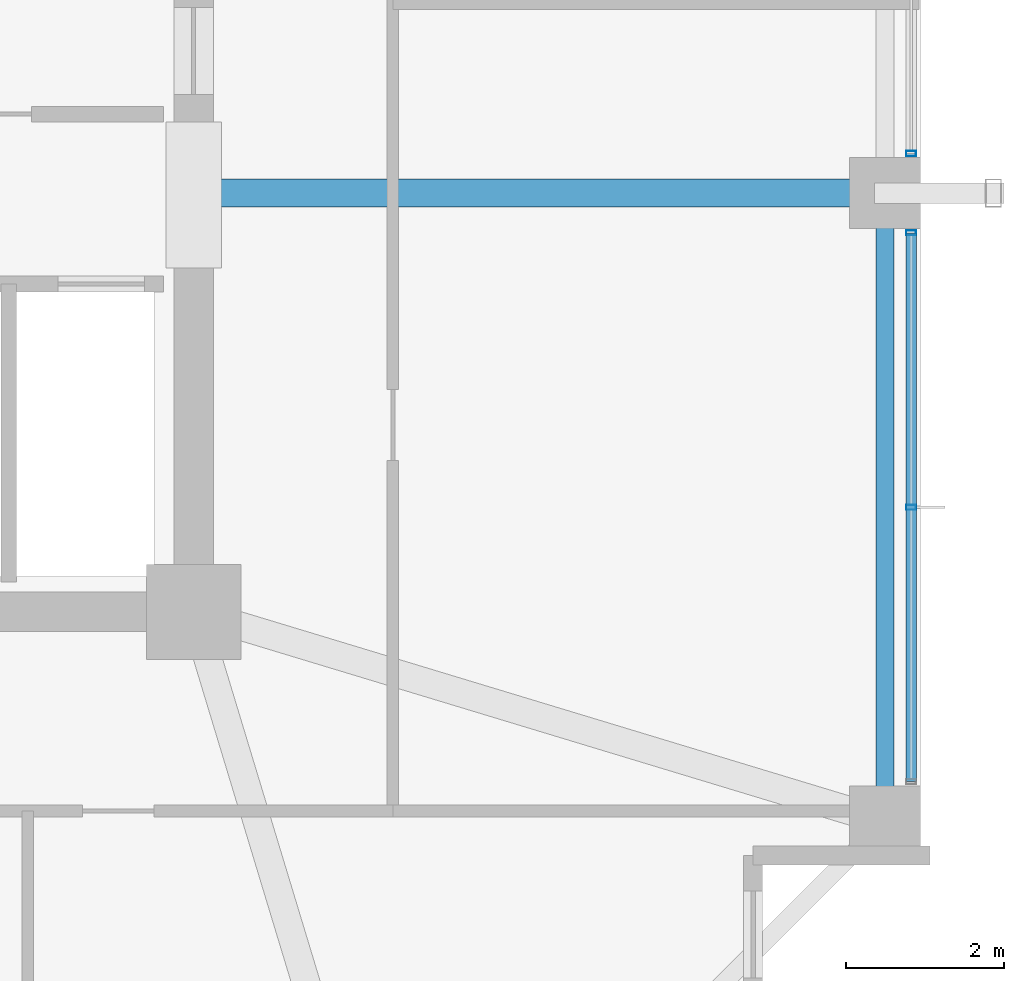
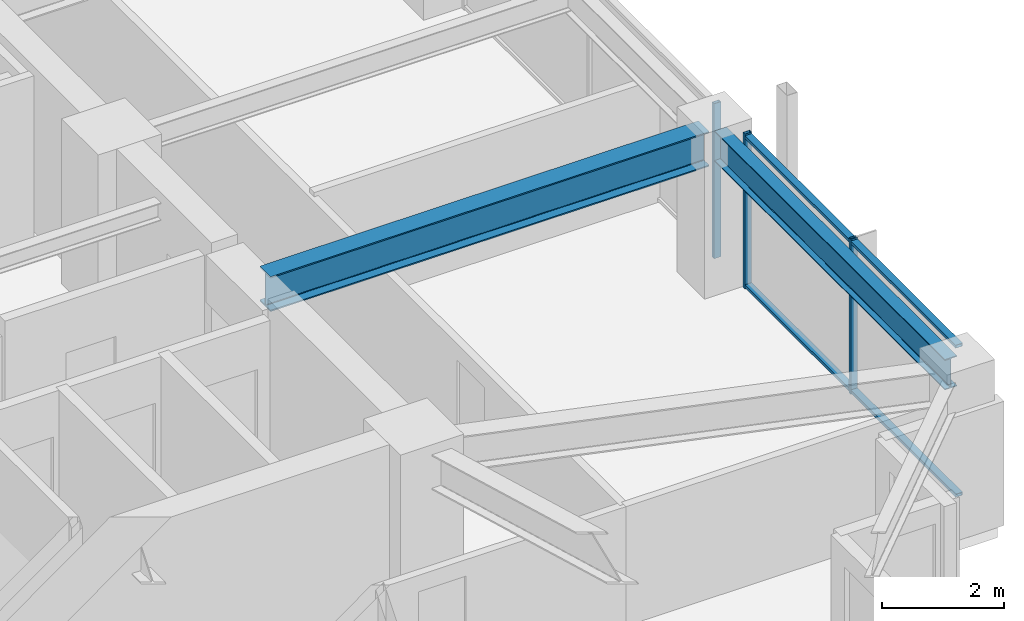
# One storey, part 12 of 32: 5 members, 2 beams, 2 elements without a shape of their own.
"""IFC4 building model written with IfcOpenShell, lengths in metres."""

from ifc_helpers import new_model, si_unit, direction, frame, origin, origin_2d, place, context, subcontext, project, spatial, hollow_rectangle, i_section, extrude, material, material_profile, profile_set, type_object, element, aggregate, save


model = new_model("IFC4")

# Units and contexts
model_context = context("Model", 3, precision=1e-05, world=origin(), true_north=direction((0.0, 1.0)))
body_context = subcontext(model_context, "Body", "Model", "MODEL_VIEW")
ifc_project = project(units=[si_unit("LENGTHUNIT", "METRE"), si_unit("AREAUNIT", "SQUARE_METRE"), si_unit("VOLUMEUNIT", "CUBIC_METRE"), si_unit("PLANEANGLEUNIT", "RADIAN"), si_unit("MASSUNIT", "GRAM", prefix="KILO")], contexts=[model_context])

# Site, building, storey
site_placement = place(None, origin())
site = spatial("IfcSite", under=ifc_project, at=site_placement, CompositionType="ELEMENT")
building_placement = place(site_placement, origin())
building = spatial("IfcBuilding", under=site, at=building_placement, Name="Kolvaren Belvedere", CompositionType="ELEMENT")
storey_placement = place(building_placement, frame((0.0, 0.0, 160.199951171875)))
storey = spatial("IfcBuildingStorey", under=building, at=storey_placement, Name="L46", CompositionType="ELEMENT", Elevation=160.199951171875)

# Beams
ifc_material_1 = material(Name="Structural steel ASTM A992 Grade 50", Category="steel")
ifc_material_profile_1 = material_profile(ifc_material_1, i_section(OverallWidth=0.35498046875, OverallDepth=0.696044921875, WebThickness=0.015380859375, FlangeThickness=0.02490234375, FilletRadius=0.02197265625, at=origin_2d()), Name="W27X146")
ifc_profile_set_1 = profile_set([ifc_material_profile_1], Name="Structural steel ASTM A992 Grade 50")
beam_type_1 = type_object("IfcBeamType", Name="BM-GIRD-W27X146", PredefinedType="BEAM", material=ifc_profile_set_1)
beam_1_placement = place(storey_placement, frame((10.14990234375, -4.60009765625, 2.751953125), z_axis=(1.0, 0.0, 0.0), x_axis=(0.0, 1.0, 0.0)))
element("IfcBeam", 1, at=beam_1_placement, inside=storey, type_object=beam_type_1, Name="L46 East Radial Girder M", PredefinedType="BEAM", context=body_context, shape_type="SweptSolid", body=[
    extrude(i_section(OverallWidth=0.35498046875, OverallDepth=0.696044921875, WebThickness=0.015380859375, FlangeThickness=0.02490234375, FilletRadius=0.02197265625, at=origin_2d()), origin(), (0.0, 0.0, 1.0), 8.297607421875),
])
ifc_material_2 = material(Name="Structural steel ASTM A992 Grade 50", Category="steel")
ifc_material_profile_2 = material_profile(ifc_material_2, i_section(OverallWidth=0.22900390625, OverallDepth=0.612060546875, WebThickness=0.011962890625, FlangeThickness=0.01953125, FilletRadius=0.01806640625, at=origin_2d()), Name="W24X84")
ifc_profile_set_2 = profile_set([ifc_material_profile_2], Name="Structural steel ASTM A992 Grade 50")
beam_type_2 = type_object("IfcBeamType", Name="BM-SPAN-W24X84", PredefinedType="SPANDREL", material=ifc_profile_set_2)
beam_2_placement = place(storey_placement, frame((18.64990234375, -12.347412109375, 2.7939453125), z_axis=(0.0, 1.0, 0.0), x_axis=(-1.0, 0.0, 0.0)))
element("IfcBeam", 2, at=beam_2_placement, inside=storey, type_object=beam_type_2, Name="L46 Perimeter Spandrel E1-E2", PredefinedType="SPANDREL", context=body_context, shape_type="SweptSolid", body=[
    extrude(i_section(OverallWidth=0.22900390625, OverallDepth=0.612060546875, WebThickness=0.011962890625, FlangeThickness=0.01953125, FilletRadius=0.01806640625, at=origin_2d()), origin(), (0.0, 0.0, 1.0), 7.544921875),
])

# Curtain wall, member
ifc_material_3 = material(Name="Anodised pale-metal aluminium AA 6063-T6", Category="aluminium")
curtain_wall_type = type_object("IfcCurtainWallType", Name="CW-Z3-WAIST", PredefinedType="NOTDEFINED", material=ifc_material_3)
curtain_wall_1_placement = place(storey_placement, origin())
curtain_wall_1 = element("IfcCurtainWall", 3, at=curtain_wall_1_placement, inside=storey, type_object=curtain_wall_type, Name="L46 Unitised Curtain Wall FCW-L46-E-B2", PredefinedType="NOTDEFINED")
ifc_material_4 = material(Name="Anodised pale-metal aluminium AA 6063-T6", Category="aluminium")
ifc_material_profile_3 = material_profile(ifc_material_4, hollow_rectangle(XDim=0.06494140625, YDim=0.1298828125, WallThickness=0.00390625, at=origin_2d()), Name="ALU-MUL-130X65")
ifc_profile_set_3 = profile_set([ifc_material_profile_3], Name="Anodised pale-metal aluminium AA 6063-T6")
member_type_1 = type_object("IfcMemberType", Name="CW-MUL-130", PredefinedType="MULLION", material=ifc_profile_set_3)
member_1_placement = place(storey_placement, frame((18.97998046875, -4.097412109375, 0.0), z_axis=(0.0, 0.0, 1.0), x_axis=(0.0, 1.0, 0.0)))
member_1 = element("IfcMember", 4, at=member_1_placement, type_object=member_type_1, Name="FCW-L46-E-B2 Unitised Mullion 3", PredefinedType="MULLION", context=body_context, shape_type="SweptSolid", body=[
    extrude(hollow_rectangle(XDim=0.06494140625, YDim=0.1298828125, WallThickness=0.00390625, at=origin_2d()), origin(), (0.0, 0.0, 1.0), 3.10009765625),
])
aggregate(curtain_wall_1, [member_1])

# Curtain wall, members
curtain_wall_2_placement = place(storey_placement, origin())
curtain_wall_2 = element("IfcCurtainWall", 5, at=curtain_wall_2_placement, inside=storey, type_object=curtain_wall_type, Name="L46 Unitised Curtain Wall FCW-L46-E-B3", PredefinedType="NOTDEFINED")
member_2_placement = place(storey_placement, frame((18.97998046875, -5.1025390625, 0.0), z_axis=(0.0, 0.0, 1.0), x_axis=(0.0, 1.0, 0.0)))
member_2 = element("IfcMember", 6, at=member_2_placement, type_object=member_type_1, Name="FCW-L46-E-B3 Unitised Mullion 1", PredefinedType="MULLION", context=body_context, shape_type="SweptSolid", body=[
    extrude(hollow_rectangle(XDim=0.06494140625, YDim=0.1298828125, WallThickness=0.00390625, at=origin_2d()), origin(), (0.0, 0.0, 1.0), 3.10009765625),
])
member_3_placement = place(storey_placement, frame((18.97998046875, -8.574951171875, 0.0), z_axis=(0.0, 0.0, 1.0), x_axis=(0.0, 1.0, 0.0)))
member_3 = element("IfcMember", 7, at=member_3_placement, type_object=member_type_1, Name="FCW-L46-E-B3 Unitised Mullion 2", PredefinedType="MULLION", context=body_context, shape_type="SweptSolid", body=[
    extrude(hollow_rectangle(XDim=0.06494140625, YDim=0.1298828125, WallThickness=0.00390625, at=origin_2d()), origin(), (0.0, 0.0, 1.0), 3.10009765625),
])
ifc_material_5 = material(Name="Anodised pale-metal aluminium AA 6063-T6", Category="aluminium")
ifc_material_profile_4 = material_profile(ifc_material_5, hollow_rectangle(XDim=0.06005859375, YDim=0.1298828125, WallThickness=0.00390625, at=origin_2d()), Name="ALU-TRN-130X60")
ifc_profile_set_4 = profile_set([ifc_material_profile_4], Name="Anodised pale-metal aluminium AA 6063-T6")
member_type_2 = type_object("IfcMemberType", Name="CW-TRN-130", PredefinedType="USERDEFINED", material=ifc_profile_set_4)
member_4_placement = place(storey_placement, frame((18.97998046875, -5.1025390625, 0.06005859375), z_axis=(0.0, -1.0, 0.0), x_axis=(0.0, 0.0, 1.0)))
member_4 = element("IfcMember", 8, at=member_4_placement, type_object=member_type_2, Name="FCW-L46-E-B3 Sill Transom", ObjectType="TRANSOM", PredefinedType="USERDEFINED", context=body_context, shape_type="SweptSolid", body=[
    extrude(hollow_rectangle(XDim=0.06005859375, YDim=0.1298828125, WallThickness=0.00390625, at=origin_2d()), origin(), (0.0, 0.0, 1.0), 6.945068359375),
])
member_5_placement = place(storey_placement, frame((18.97998046875, -5.1025390625, 3.0400390625), z_axis=(0.0, -1.0, 0.0), x_axis=(0.0, 0.0, 1.0)))
member_5 = element("IfcMember", 9, at=member_5_placement, type_object=member_type_2, Name="FCW-L46-E-B3 Head Transom", ObjectType="TRANSOM", PredefinedType="USERDEFINED", context=body_context, shape_type="SweptSolid", body=[
    extrude(hollow_rectangle(XDim=0.06005859375, YDim=0.1298828125, WallThickness=0.00390625, at=origin_2d()), origin(), (0.0, 0.0, 1.0), 6.945068359375),
])
aggregate(curtain_wall_2, [member_2, member_3, member_4, member_5])

save(model, "model.ifc")
